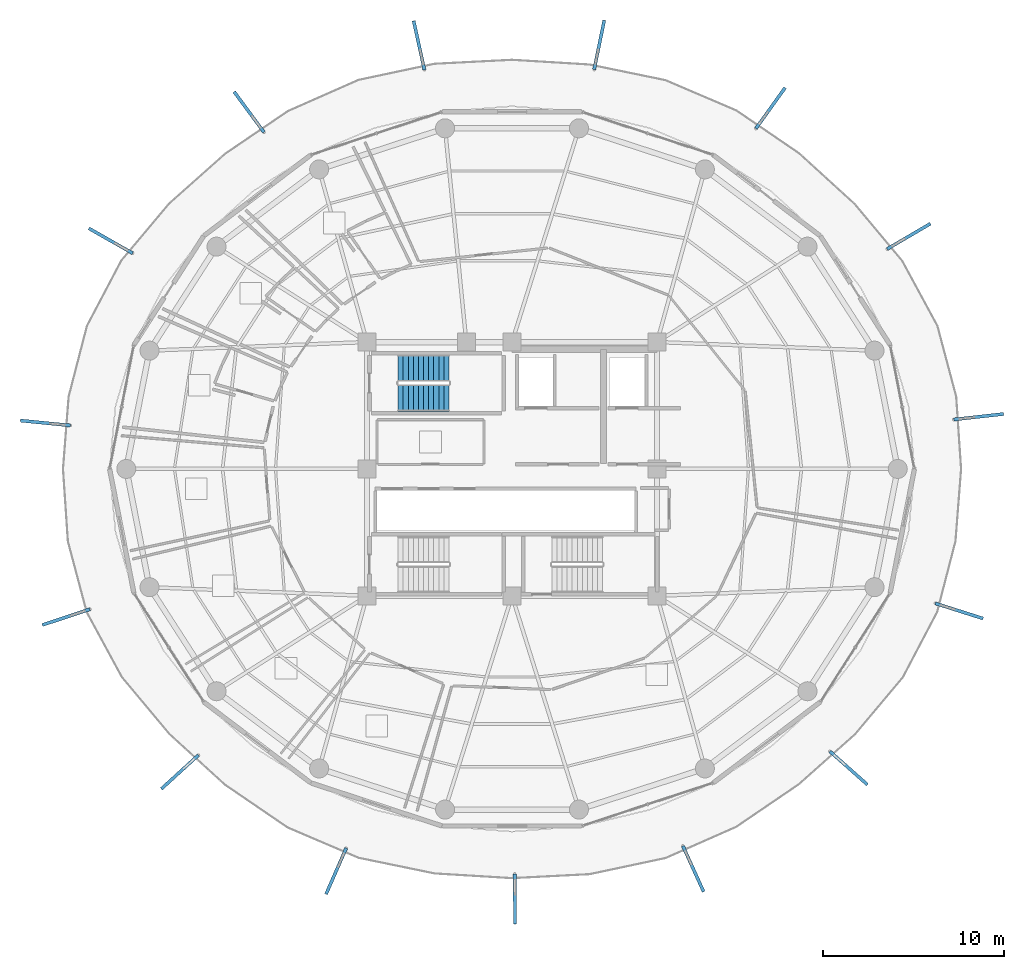
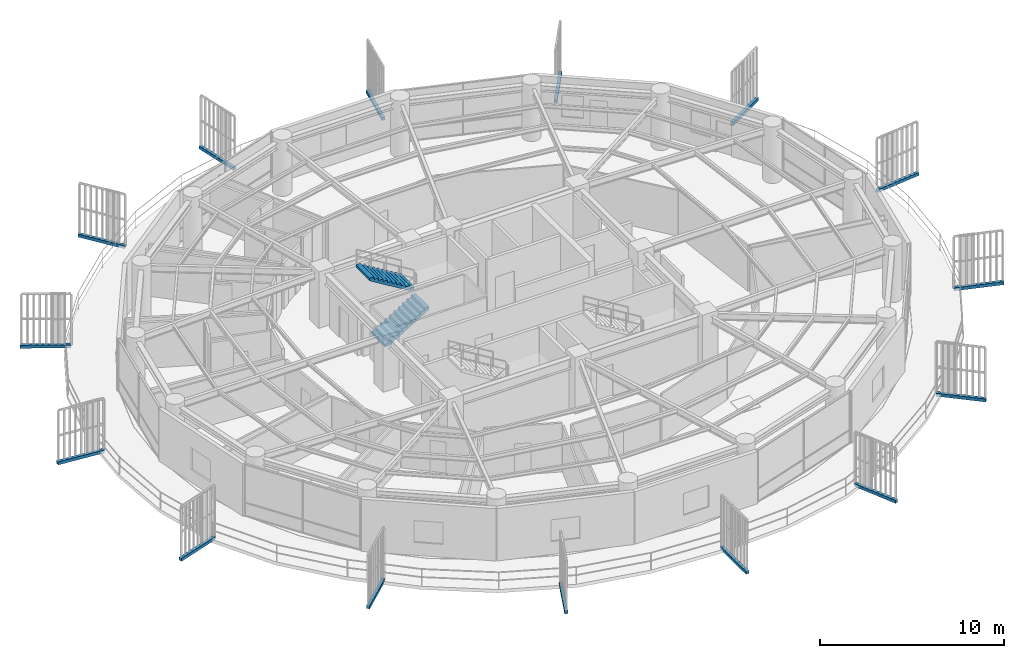
# One storey, part 27 of 31: 15 discrete accessories, 2 stair flights, 1 element without a shape of its own.
"""IFC4 building model written with IfcOpenShell, lengths in metres."""

from ifc_helpers import new_model, si_unit, direction, frame, origin, origin_2d, place, context, subcontext, project, spatial, polyline, rectangle, outline, extrude, source, transform, mapped, material, type_object, element, aggregate, save


model = new_model("IFC4")

# Units and contexts
model_context = context("Model", 3, precision=1e-05, world=origin(), true_north=direction((0.0, 1.0)))
body_context = subcontext(model_context, "Body", "Model", "MODEL_VIEW")
ifc_project = project(units=[si_unit("LENGTHUNIT", "METRE"), si_unit("AREAUNIT", "SQUARE_METRE"), si_unit("VOLUMEUNIT", "CUBIC_METRE"), si_unit("PLANEANGLEUNIT", "RADIAN"), si_unit("MASSUNIT", "GRAM", prefix="KILO")], contexts=[model_context])

# Site, building, storey
site_placement = place(None, origin())
site = spatial("IfcSite", under=ifc_project, at=site_placement, CompositionType="ELEMENT")
building_placement = place(site_placement, origin())
building = spatial("IfcBuilding", under=site, at=building_placement, Name="Kelanora Arch Commons", CompositionType="ELEMENT")
storey_placement = place(building_placement, frame((0.0, 0.0, 219.449951171875)))
storey = spatial("IfcBuildingStorey", under=building, at=storey_placement, Name="L56", CompositionType="ELEMENT", Elevation=219.449951171875)

# Stair, stair flights
ifc_material_1 = material(Name="Concrete C40/50", Category="concrete")
stair_type = type_object("IfcStairType", Name="STR-DL-375", PredefinedType="HALF_TURN_STAIR", material=ifc_material_1)
stair_placement = place(storey_placement, origin())
stair = element("IfcStair", 1, at=stair_placement, inside=storey, type_object=stair_type, Name="L56 ST-T1", PredefinedType="HALF_TURN_STAIR")
stair_flight_type = type_object("IfcStairFlightType", Name="FLT-DL-375", PredefinedType="STRAIGHT", material=ifc_material_1)
stair_flight_1_placement = place(storey_placement, frame((67.719970703125, 61.919921875, 0.0), z_axis=(0.0, 0.0, 1.0), x_axis=(1.0, 0.0, 0.0)))
stair_flight_1 = element("IfcStairFlight", 2, at=stair_flight_1_placement, type_object=stair_flight_type, Name="ST-T1 flight 1", NumberOfRisers=11, NumberOfTreads=10, PredefinedType="STRAIGHT", RiserHeight=0.170454545, TreadLength=0.28, context=body_context, shape_type="SweptSolid", body=[
    extrude(outline(polyline([(0.0, 0.0), (0.0, 0.17041015625), (0.280029296875, 0.17041015625), (0.280029296875, 0.3408203125), (0.56005859375, 0.3408203125), (0.56005859375, 0.511474609375), (0.840087890625, 0.511474609375), (0.840087890625, 0.681884765625), (1.1201171875, 0.681884765625), (1.1201171875, 0.852294921875), (1.39990234375, 0.852294921875), (1.39990234375, 1.022705078125), (1.679931640625, 1.022705078125), (1.679931640625, 1.193115234375), (1.9599609375, 1.193115234375), (1.9599609375, 1.363525390625), (2.239990234375, 1.363525390625), (2.239990234375, 1.5341796875), (2.52001953125, 1.5341796875), (2.52001953125, 1.70458984375), (2.800048828125, 1.70458984375), (2.800048828125, 1.875), (2.800048828125, 1.529052734375), (0.288330078125, 0.0), (0.0, 0.0)])), frame((0.0, 0.739990234375, 0.0), z_axis=(0.0, -1.0, 0.0), x_axis=(1.0, 0.0, 0.0)), (0.0, 0.0, 1.0), 1.47998046875),
])
stair_flight_2_placement = place(storey_placement, frame((70.52001953125, 63.550048828125, 1.875), z_axis=(0.0, 0.0, 1.0), x_axis=(-1.0, 0.0, 0.0)))
stair_flight_2 = element("IfcStairFlight", 3, at=stair_flight_2_placement, type_object=stair_flight_type, Name="ST-T1 flight 2", NumberOfRisers=11, NumberOfTreads=10, PredefinedType="STRAIGHT", RiserHeight=0.170454545, TreadLength=0.28, context=body_context, shape_type="SweptSolid", body=[
    extrude(outline(polyline([(0.0, 0.0), (0.0, 0.17041015625), (0.280029296875, 0.17041015625), (0.280029296875, 0.3408203125), (0.56005859375, 0.3408203125), (0.56005859375, 0.511474609375), (0.840087890625, 0.511474609375), (0.840087890625, 0.681884765625), (1.1201171875, 0.681884765625), (1.1201171875, 0.852294921875), (1.39990234375, 0.852294921875), (1.39990234375, 1.022705078125), (1.679931640625, 1.022705078125), (1.679931640625, 1.193115234375), (1.9599609375, 1.193115234375), (1.9599609375, 1.363525390625), (2.239990234375, 1.363525390625), (2.239990234375, 1.5341796875), (2.52001953125, 1.5341796875), (2.52001953125, 1.70458984375), (2.800048828125, 1.70458984375), (2.800048828125, 1.875), (2.800048828125, 1.529052734375), (0.288330078125, 0.0), (0.0, 0.0)])), frame((0.0, 0.739990234375, 0.0), z_axis=(0.0, -1.0, 0.0), x_axis=(1.0, 0.0, 0.0)), (0.0, 0.0, 1.0), 1.47998046875),
])
aggregate(stair, [stair_flight_1, stair_flight_2])

# Discrete accessories
ifc_material_2 = material(Name="Stainless steel 316 marine fin bracket", Category="steel")
discrete_accessory_type = type_object("IfcDiscreteAccessoryType", Name="ACC-FIN-BRK", PredefinedType="BRACKET", material=ifc_material_2)
shared_shape = source(origin(), body_context, "Body", "SweptSolid", [
    extrude(rectangle(XDim=2.77001953125, YDim=0.179931640625, at=origin_2d()), origin(), (0.0, 0.0, 1.0), 0.199951171875),
])
for number, where, z_axis, x_axis, name in (
    (4, (92.568115234375, 41.502685546875, -0.16015625), (0.0, 0.0, 1.0), (0.747566290977, -0.664187202975, 0.0), "Sweeping Fin Cantilever Spine Bracket L56-00"),
    (5, (98.6669921875, 50.165771484375, -0.16015625), (0.0, 0.0, 1.0), (0.95308506272, -0.302702598633, 0.0), "Sweeping Fin Cantilever Spine Bracket L56-01"),
    (6, (99.744384765625, 60.878662109375, -0.16015625), (0.0, 0.0, 1.0), (0.993806768614, 0.111122034978, 0.0), "Sweeping Fin Cantilever Spine Bracket L56-02"),
    (7, (95.888916015625, 70.831787109375, -0.16015625), (0.0, 0.0, 1.0), (0.862690255763, 0.505732659231, 0.0), "Sweeping Fin Cantilever Spine Bracket L56-03"),
    (8, (88.258056640625, 77.90087890625, -0.16015625), (0.0, 0.0, 1.0), (0.582406760395, 0.812897512265, 0.0), "Sweeping Fin Cantilever Spine Bracket L56-04"),
    (9, (78.81005859375, 81.39111328125, -0.16015625), (0.0, 0.0, 1.0), (0.201419845156, 0.979505000486, 0.0), "Sweeping Fin Cantilever Spine Bracket L56-05"),
    (10, (68.871826171875, 81.36328125, -0.16015625), (0.0, 0.0, 1.0), (-0.214394391152, 0.9767471756, 0.0), "Sweeping Fin Cantilever Spine Bracket L56-06"),
    (11, (59.492919921875, 77.69140625, -0.16015625), (0.0, 0.0, 1.0), (-0.593137889518, 0.805100890583, 0.0), "Sweeping Fin Cantilever Spine Bracket L56-07"),
    (12, (51.86376953125, 70.585205078125, -0.16015625), (0.0, 0.0, 1.0), (-0.869322458298, 0.494245347472, 0.0), "Sweeping Fin Cantilever Spine Bracket L56-08"),
    (13, (48.256591796875, 60.533203125, -0.16015625), (0.0, 0.0, 1.0), (-0.995193276492, 0.097930293706, 0.0), "Sweeping Fin Cantilever Spine Bracket L56-09"),
    (14, (49.406005859375, 49.828125, -0.16015625), (0.0, 0.0, 1.0), (-0.948986136133, -0.315317797511, 0.0), "Sweeping Fin Cantilever Spine Bracket L56-10"),
    (15, (55.679443359375, 41.28271484375, -0.16015625), (0.0, 0.0, 1.0), (-0.738690671568, -0.674044576967, 0.0), "Sweeping Fin Cantilever Spine Bracket L56-11"),
    (16, (64.2978515625, 35.813720703125, -0.16015625), (0.0, 0.0, 1.0), (-0.400668879095, -0.916222925562, 0.0), "Sweeping Fin Cantilever Spine Bracket L56-12"),
    (17, (74.157470703125, 34.2705078125, -0.16015625), (0.0, 0.0, 1.0), (0.006632202536, -0.999978006703, 0.0), "Sweeping Fin Cantilever Spine Bracket L56-13"),
    (18, (83.997802734375, 35.939697265625, -0.16015625), (0.0, 0.0, 1.0), (0.412786516097, -0.91082780597, 0.0), "Sweeping Fin Cantilever Spine Bracket L56-14"),
):
    element("IfcDiscreteAccessory", number, at=place(storey_placement, frame(where, z_axis=z_axis, x_axis=x_axis)), inside=storey, type_object=discrete_accessory_type, Name=name, PredefinedType="BRACKET", context=body_context, shape_type="MappedRepresentation", body=[
        mapped(shared_shape, transform((0.0, 0.0, 0.0), scale=1.0)),
    ])

save(model, "model.ifc")
